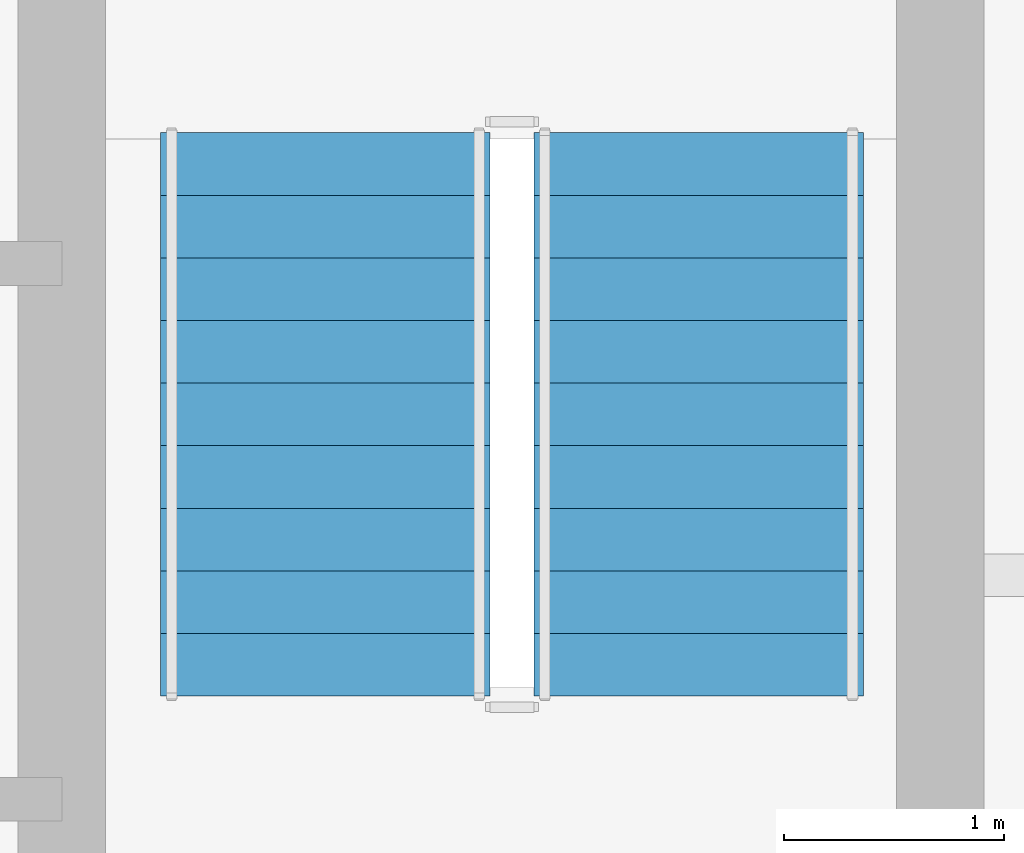
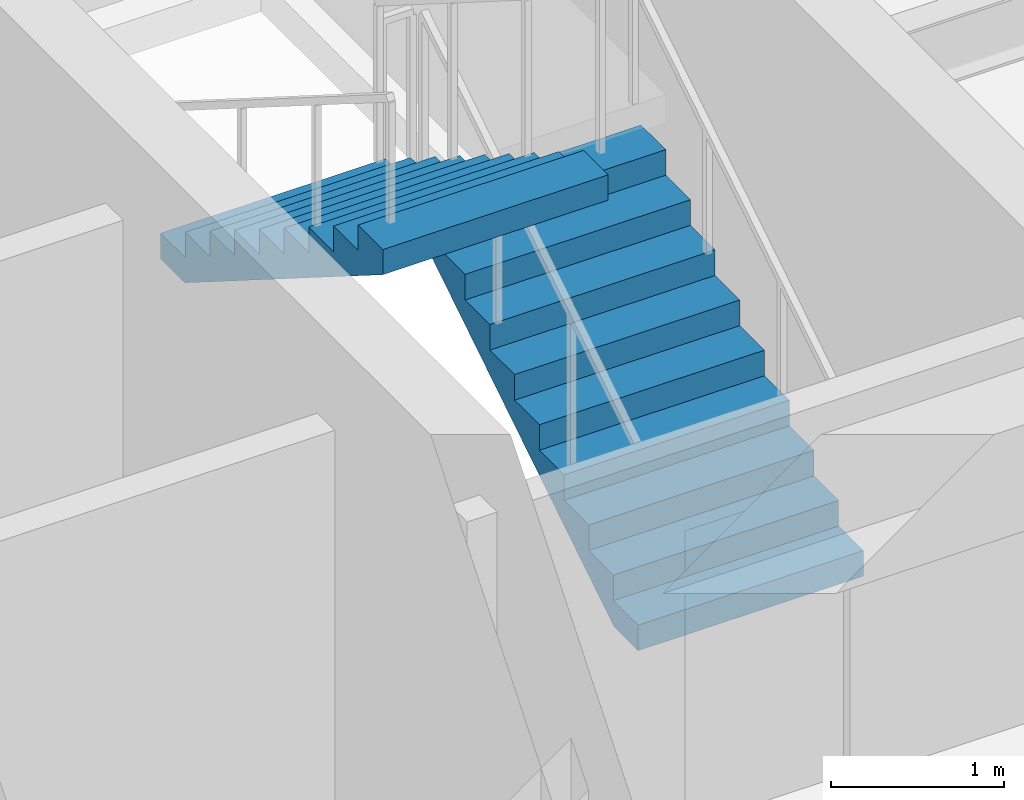
# One storey, part 20 of 23: 2 stair flights, 1 element without a shape of its own.
"""IFC4 building model written with IfcOpenShell, lengths in metres."""

from ifc_helpers import new_model, si_unit, direction, frame, origin, place, context, subcontext, project, spatial, polyline, outline, extrude, material, type_object, element, aggregate, save


model = new_model("IFC4")

# Units and contexts
model_context = context("Model", 3, precision=1e-05, world=origin(), true_north=direction((0.0, 1.0)))
body_context = subcontext(model_context, "Body", "Model", "MODEL_VIEW")
ifc_project = project(units=[si_unit("LENGTHUNIT", "METRE"), si_unit("AREAUNIT", "SQUARE_METRE"), si_unit("VOLUMEUNIT", "CUBIC_METRE"), si_unit("PLANEANGLEUNIT", "RADIAN"), si_unit("MASSUNIT", "GRAM", prefix="KILO")], contexts=[model_context])

# Site, building, storey
site_placement = place(None, origin())
site = spatial("IfcSite", under=ifc_project, at=site_placement, CompositionType="ELEMENT")
building_placement = place(site_placement, origin())
building = spatial("IfcBuilding", under=site, at=building_placement, Name="Sarneth Arch Tower", CompositionType="ELEMENT")
storey_placement = place(building_placement, frame((0.0, 0.0, 249.60009765625)))
storey = spatial("IfcBuildingStorey", under=building, at=storey_placement, Name="L64", CompositionType="ELEMENT", Elevation=249.60009765625)

# Stair, stair flights
ifc_material_1 = material(Name="Concrete C50/60", Category="concrete")
stair_type = type_object("IfcStairType", Name="STAIR-CORE-RC", PredefinedType="HALF_TURN_STAIR", material=ifc_material_1)
stair_placement = place(storey_placement, origin())
stair = element("IfcStair", 1, at=stair_placement, inside=storey, type_object=stair_type, Name="L64 Core Exit Stair 2", PredefinedType="HALF_TURN_STAIR")
ifc_material_2 = material(Name="Concrete C50/60", Category="concrete")
stair_flight_type = type_object("IfcStairFlightType", Name="FLIGHT-RC-1500", PredefinedType="STRAIGHT", material=ifc_material_2)
stair_flight_1_placement = place(storey_placement, frame((57.89990234375, 41.449951171875, 0.0), z_axis=(0.0, 0.0, 1.0), x_axis=(0.0, 1.0, 0.0)))
stair_flight_1 = element("IfcStairFlight", 2, at=stair_flight_1_placement, type_object=stair_flight_type, Name="ST-2 flight 1", NumberOfRisers=10, NumberOfTreads=9, PredefinedType="STRAIGHT", RiserHeight=0.18, TreadLength=0.285, context=body_context, shape_type="SweptSolid", body=[
    extrude(outline(polyline([(0.0, 0.0), (0.0, 0.179931640625), (0.284912109375, 0.179931640625), (0.284912109375, 0.360107421875), (0.570068359375, 0.360107421875), (0.570068359375, 0.5400390625), (0.85498046875, 0.5400390625), (0.85498046875, 0.719970703125), (1.139892578125, 0.719970703125), (1.139892578125, 0.89990234375), (1.425048828125, 0.89990234375), (1.425048828125, 1.080078125), (1.7099609375, 1.080078125), (1.7099609375, 1.260009765625), (1.9951171875, 1.260009765625), (1.9951171875, 1.43994140625), (2.280029296875, 1.43994140625), (2.280029296875, 1.6201171875), (2.56494140625, 1.6201171875), (2.56494140625, 1.800048828125), (2.56494140625, 1.442626953125), (0.28076171875, 0.0), (0.0, 0.0)])), frame((0.0, 0.75, 0.0), z_axis=(0.0, -1.0, 0.0), x_axis=(1.0, 0.0, 0.0)), (0.0, 0.0, 1.0), 1.5),
])
stair_flight_2_placement = place(storey_placement, frame((56.199951171875, 44.014892578125, 1.7998046875), z_axis=(0.0, 0.0, 1.0), x_axis=(0.0, -1.0, 0.0)))
stair_flight_2 = element("IfcStairFlight", 3, at=stair_flight_2_placement, type_object=stair_flight_type, Name="ST-2 flight 2", NumberOfRisers=10, NumberOfTreads=9, PredefinedType="STRAIGHT", RiserHeight=0.18, TreadLength=0.285, context=body_context, shape_type="SweptSolid", body=[
    extrude(outline(polyline([(0.0, 0.0), (0.0, 0.179931640625), (0.284912109375, 0.179931640625), (0.284912109375, 0.360107421875), (0.570068359375, 0.360107421875), (0.570068359375, 0.5400390625), (0.85498046875, 0.5400390625), (0.85498046875, 0.719970703125), (1.139892578125, 0.719970703125), (1.139892578125, 0.89990234375), (1.425048828125, 0.89990234375), (1.425048828125, 1.080078125), (1.7099609375, 1.080078125), (1.7099609375, 1.260009765625), (1.9951171875, 1.260009765625), (1.9951171875, 1.43994140625), (2.280029296875, 1.43994140625), (2.280029296875, 1.6201171875), (2.56494140625, 1.6201171875), (2.56494140625, 1.800048828125), (2.56494140625, 1.442626953125), (0.28076171875, 0.0), (0.0, 0.0)])), frame((0.0, 0.75, 0.0), z_axis=(0.0, -1.0, 0.0), x_axis=(1.0, 0.0, 0.0)), (0.0, 0.0, 1.0), 1.5),
])
aggregate(stair, [stair_flight_1, stair_flight_2])

save(model, "model.ifc")
